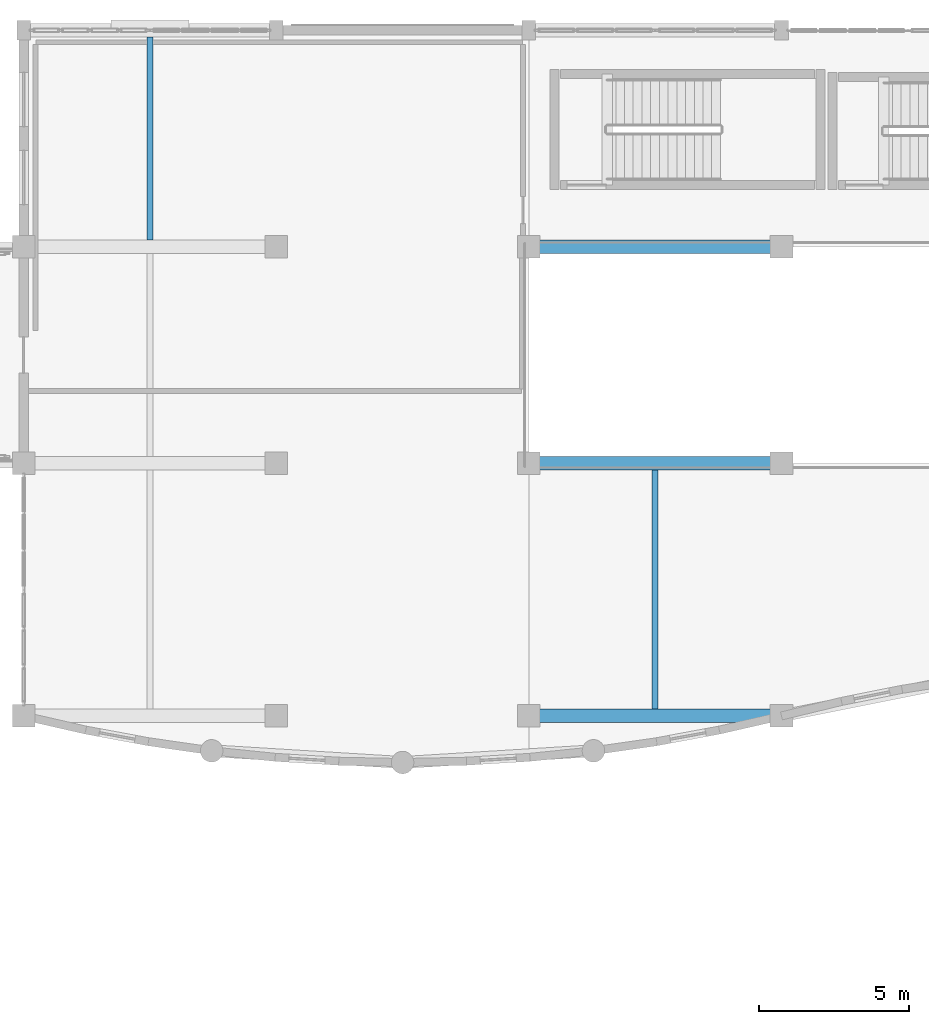
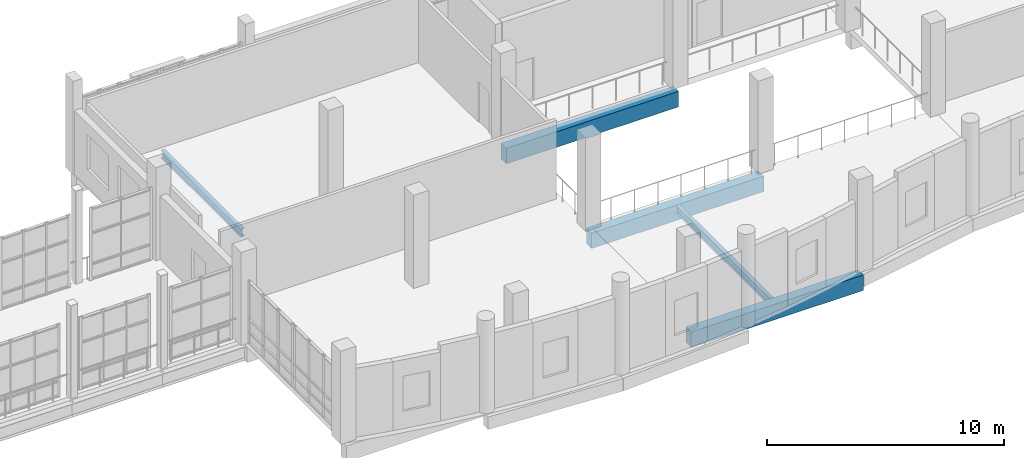
# One storey, part 35 of 106: 5 beams.
"""IFC4 building model written with IfcOpenShell, lengths in metres."""

import ifcopenshell
import ifcopenshell.guid

model = None  # the IFC model being written
_history = None  # IfcOwnerHistory: only IFC2X3 demands one
_inside = {}  # id of a spatial element -> (the spatial element, [elements in it])
_under = {}  # id of a project, library or spatial element -> (it, [spatial elements below it])
_declared = {}  # id of a project -> (the project, [libraries it declares])
_typed = {}  # id of a type object -> (the type object, [elements of that type])
_made_of = {}  # id of a material, layer set ... -> (it, [elements and type objects made of it])


def new_model(schema):
    """Start an empty IFC model of exactly this schema.

    Asked for "IFC4X3", IfcOpenShell would pick the latest addendum, in which some entities
    have other attributes; the version numbers below select the first issue.
    IFC2X3 requires an IfcOwnerHistory on every rooted entity: one is made here for all.
    """
    global model, _history
    if schema == "IFC4X3":
        model = ifcopenshell.file(schema_version=(4, 3, 0, 0))
    else:
        model = ifcopenshell.file(schema=schema)
    _inside.clear()
    _under.clear()
    _declared.clear()
    _typed.clear()
    _made_of.clear()
    _history = None
    if model.schema == "IFC2X3":
        org = make("IfcOrganization", Name="unknown")
        user = make(
            "IfcPersonAndOrganization",
            ThePerson=make("IfcPerson", FamilyName="unknown"),
            TheOrganization=org,
        )
        app = make(
            "IfcApplication",
            ApplicationDeveloper=org,
            Version="unknown",
            ApplicationFullName="unknown",
            ApplicationIdentifier="unknown",
        )
        _history = make(
            "IfcOwnerHistory",
            OwningUser=user,
            OwningApplication=app,
            ChangeAction="ADDED",
            CreationDate=0,
        )
    return model


def make(cls, **values):
    """One entity of the class cls with the attributes given. An attribute that is None is left unset."""
    return model.create_entity(
        cls, **{name: value for name, value in values.items() if value is not None}
    )


def rooted(cls, **values):
    """An entity with a GlobalId (a new one), such as an element, a storey or a relation."""
    return make(cls, GlobalId=ifcopenshell.guid.new(), OwnerHistory=_history, **values)


def si_unit(unit_type, name, prefix=None):
    """IfcSIUnit, for example si_unit("LENGTHUNIT", "METRE", prefix="MILLI")."""
    return make("IfcSIUnit", UnitType=unit_type, Prefix=prefix, Name=name)


def assignment(units):
    """IfcUnitAssignment: the units of a project."""
    return None if units is None else make("IfcUnitAssignment", Units=units)


def point(xyz):
    """IfcCartesianPoint."""
    return None if xyz is None else make("IfcCartesianPoint", Coordinates=xyz)


def direction(xyz):
    """IfcDirection."""
    return None if xyz is None else make("IfcDirection", DirectionRatios=xyz)


def frame(location, z_axis=None, x_axis=None):
    """IfcAxis2Placement3D, a coordinate frame: its origin and axes. An axis left out is left unset."""
    return make(
        "IfcAxis2Placement3D",
        Location=point(location),
        Axis=direction(z_axis),
        RefDirection=direction(x_axis),
    )


def frame_2d(location, x_axis=None):
    """IfcAxis2Placement2D, a coordinate frame in the plane: its origin and x axis."""
    return make(
        "IfcAxis2Placement2D", Location=point(location), RefDirection=direction(x_axis)
    )


def origin():
    """The frame at (0, 0, 0) with its axes left unset."""
    return frame((0.0, 0.0, 0.0))


def origin_2d():
    """The frame at (0, 0) in the plane with its x axis left unset."""
    return frame_2d((0.0, 0.0))


def place(relative_to, where):
    """IfcLocalPlacement: puts the frame where relative to a parent placement (None: the world)."""
    return make(
        "IfcLocalPlacement", PlacementRelTo=relative_to, RelativePlacement=where
    )


def context(
    kind, dimensions, precision=None, world=None, true_north=None, identifier=None
):
    """IfcGeometricRepresentationContext, for example the 3D "Model" context."""
    return make(
        "IfcGeometricRepresentationContext",
        ContextIdentifier=identifier,
        ContextType=kind,
        CoordinateSpaceDimension=dimensions,
        Precision=precision,
        WorldCoordinateSystem=world,
        TrueNorth=true_north,
    )


def subcontext(parent, identifier, kind, view, scale=None):
    """IfcGeometricRepresentationSubContext, for example "Body" below "Model"."""
    return make(
        "IfcGeometricRepresentationSubContext",
        ContextIdentifier=identifier,
        ContextType=kind,
        ParentContext=parent,
        TargetScale=scale,
        TargetView=view,
    )


def project(units=None, contexts=None):
    """IfcProject with its units and contexts."""
    return rooted(
        "IfcProject",
        Name="project",
        RepresentationContexts=contexts,
        UnitsInContext=assignment(units),
    )


def spatial(cls, under=None, at=None, **own):
    """A site, building, storey or space (cls), placed at a placement, below another one or the project."""
    s = rooted(cls, ObjectPlacement=at, **own)
    if under is not None:
        _under.setdefault(under.id(), (under, []))[1].append(s)
    return s


def profile(cls, at=None, kind="AREA", **sizes):
    """A parametric profile (cls). Its sizes go by their IFC names, for example OverallWidth=200.0."""
    return make(cls, ProfileType=kind, Position=at, **sizes)


def rectangle(**sizes):
    """IfcRectangleProfileDef."""
    return profile("IfcRectangleProfileDef", **sizes)


def i_section(**sizes):
    """IfcIShapeProfileDef."""
    return profile("IfcIShapeProfileDef", **sizes)


def extrude(swept, where, along, depth):
    """IfcExtrudedAreaSolid: the profile swept, set in the frame where, extruded along a direction by depth."""
    return make(
        "IfcExtrudedAreaSolid",
        SweptArea=swept,
        Position=where,
        ExtrudedDirection=direction(along),
        Depth=depth,
    )


def shape(context_of_items, identifier, shape_type, items):
    """IfcShapeRepresentation: the items that make up one representation, for example the "Body"."""
    return make(
        "IfcShapeRepresentation",
        ContextOfItems=context_of_items,
        RepresentationIdentifier=identifier,
        RepresentationType=shape_type,
        Items=items,
    )


def material(Name=None, Category=None):
    """IfcMaterial."""
    return make("IfcMaterial", Name=Name, Category=Category)


def material_profile(
    of_material, cross_section, Name=None, Category=None, Priority=None
):
    """IfcMaterialProfile: a cross section and its material."""
    return make(
        "IfcMaterialProfile",
        Name=Name,
        Material=of_material,
        Profile=cross_section,
        Priority=Priority,
        Category=Category,
    )


def profile_set(profiles, Name=None, composite=None):
    """IfcMaterialProfileSet."""
    return make(
        "IfcMaterialProfileSet",
        Name=Name,
        MaterialProfiles=profiles,
        CompositeProfile=composite,
    )


def made_of(thing, what):
    """Note that an element or type object is made of a material, layer set ...; save() writes the relation."""
    if what is not None:
        _made_of.setdefault(what.id(), (what, []))[1].append(thing)
    return thing


def type_object(cls, material=None, **own):
    """A type object (cls), such as IfcWallType, which elements share."""
    return made_of(rooted(cls, **own), material)


def element(
    cls,
    number,
    at=None,
    inside=None,
    cuts=None,
    type_object=None,
    material=None,
    context=None,
    identifier="Body",
    shape_type=None,
    held_by="IfcProductDefinitionShape",
    body=None,
    shapes=None,
    **own,
):
    """One element of the class cls, such as IfcWall. Its Tag is "e" and its number.

    at: its placement. inside: the storey or other place that contains it. cuts: it is an
    opening in that element (IfcRelVoidsElement). A single representation is given by context,
    identifier, shape_type and body (its items); several are given by shapes. held_by: the class
    of the entity that holds the representations. save() writes the other relations.
    """
    e = rooted(cls, Tag="e%d" % number, ObjectPlacement=at, **own)
    if body is not None:
        shapes = [shape(context, identifier, shape_type, body)]
    if shapes is not None:
        e.Representation = make(held_by, Representations=shapes)
    if inside is not None:
        _inside.setdefault(inside.id(), (inside, []))[1].append(e)
    if cuts is not None:
        rooted(
            "IfcRelVoidsElement", RelatingBuildingElement=cuts, RelatedOpeningElement=e
        )
    if type_object is not None:
        _typed.setdefault(type_object.id(), (type_object, []))[1].append(e)
    return made_of(e, material)


def aggregate(whole, parts):
    """IfcRelAggregates: a whole, such as a stair, and the parts it consists of."""
    return rooted("IfcRelAggregates", RelatingObject=whole, RelatedObjects=parts)


def save(model, path):
    """Write the relations noted so far, then the file.

    IfcRelAggregates (storeys below a building ...), IfcRelContainedInSpatialStructure (elements
    in a storey), IfcRelDefinesByType, IfcRelAssociatesMaterial and IfcRelDeclares: one each for
    every whole, place, type object, material and project.
    """
    for whole, parts in _under.values():
        aggregate(whole, parts)
    for where, things in _inside.values():
        rooted(
            "IfcRelContainedInSpatialStructure",
            RelatedElements=things,
            RelatingStructure=where,
        )
    for kind, things in _typed.values():
        rooted("IfcRelDefinesByType", RelatedObjects=things, RelatingType=kind)
    for what, things in _made_of.values():
        rooted("IfcRelAssociatesMaterial", RelatedObjects=things, RelatingMaterial=what)
    for by, libraries in _declared.values():
        rooted("IfcRelDeclares", RelatingContext=by, RelatedDefinitions=libraries)
    model.write(path)


model = new_model("IFC4")

# Units and contexts
model_context = context("Model", 3, precision=1e-05, world=origin(), true_north=direction((0.0, 1.0)))
body_context = subcontext(model_context, "Body", "Model", "MODEL_VIEW")
ifc_project = project(units=[si_unit("LENGTHUNIT", "METRE"), si_unit("AREAUNIT", "SQUARE_METRE"), si_unit("VOLUMEUNIT", "CUBIC_METRE"), si_unit("PLANEANGLEUNIT", "RADIAN"), si_unit("MASSUNIT", "GRAM", prefix="KILO")], contexts=[model_context])

# Site, building, storey
site_placement = place(None, origin())
site = spatial("IfcSite", under=ifc_project, at=site_placement, CompositionType="ELEMENT")
building_placement = place(site_placement, origin())
building = spatial("IfcBuilding", under=site, at=building_placement, Name="Kisaragi Civic Commons", CompositionType="ELEMENT")
storey_placement = place(building_placement, frame((0.0, 0.0, 4.800048828125)))
storey = spatial("IfcBuildingStorey", under=building, at=storey_placement, Name="L01", CompositionType="ELEMENT", Elevation=4.800048828125)

# Beams
ifc_material_1 = material(Name="Concrete Fc30", Category="concrete")
ifc_material_profile_1 = material_profile(ifc_material_1, rectangle(XDim=0.449951171875, YDim=0.800048828125, at=origin_2d()), Name="RC-450x800", Category="concrete")
ifc_profile_set_1 = profile_set([ifc_material_profile_1], Name="Concrete Fc30")
beam_type_1 = type_object("IfcBeamType", Name="G-03", PredefinedType="BEAM", material=ifc_profile_set_1)
for number, where, z_axis, x_axis, name in (
    (1, (88.800048828125, 96.0, -0.705078125), (1.0, 0.0, 0.0), (0.0, 1.0, 0.0), "L01 girder G-03 223"),
    (2, (88.800048828125, 104.39990234375, -0.705078125), (1.0, 0.0, 0.0), (0.0, 1.0, 0.0), "L01 girder G-03 227"),
    (3, (88.800048828125, 111.60009765625, -0.705078125), (1.0, 0.0, 0.0), (0.0, 1.0, 0.0), "L01 girder G-03 232"),
):
    element("IfcBeam", number, at=place(storey_placement, frame(where, z_axis=z_axis, x_axis=x_axis)), inside=storey, type_object=beam_type_1, Name=name, PredefinedType="BEAM", context=body_context, shape_type="SweptSolid", body=[
        extrude(rectangle(XDim=0.449951171875, YDim=0.800048828125, at=origin_2d()), origin(), (0.0, 0.0, 1.0), 8.39990234375),
    ])
ifc_material_2 = material(Name="Steel SN400 (SN400B)", Category="steel")
ifc_material_profile_2 = material_profile(ifc_material_2, i_section(OverallWidth=0.199951171875, OverallDepth=0.39990234375, WebThickness=0.008056640625, FlangeThickness=0.012939453125, FilletRadius=0.012939453125, at=origin_2d()), Name="H-400x200x8x13", Category="steel")
ifc_profile_set_2 = profile_set([ifc_material_profile_2], Name="Steel SN400 (SN400B)")
beam_type_2 = type_object("IfcBeamType", Name="J-01", PredefinedType="JOIST", material=ifc_profile_set_2)
beam_1_placement = place(storey_placement, frame((76.199951171875, 111.824951171875, -0.505126953125), z_axis=(0.0, 1.0, 0.0), x_axis=(-1.0, 0.0, 0.0)))
element("IfcBeam", 4, at=beam_1_placement, inside=storey, type_object=beam_type_2, Name="L01 secondary steel joist J-01 48", PredefinedType="JOIST", context=body_context, shape_type="SweptSolid", body=[
    extrude(i_section(OverallWidth=0.199951171875, OverallDepth=0.39990234375, WebThickness=0.008056640625, FlangeThickness=0.012939453125, FilletRadius=0.012939453125, at=origin_2d()), origin(), (0.0, 0.0, 1.0), 6.75),
])
beam_2_placement = place(storey_placement, frame((93.0, 96.22509765625, -0.505126953125), z_axis=(0.0, 1.0, 0.0), x_axis=(-1.0, 0.0, 0.0)))
element("IfcBeam", 5, at=beam_2_placement, inside=storey, type_object=beam_type_2, Name="L01 secondary steel joist J-01 49", PredefinedType="JOIST", context=body_context, shape_type="SweptSolid", body=[
    extrude(i_section(OverallWidth=0.199951171875, OverallDepth=0.39990234375, WebThickness=0.008056640625, FlangeThickness=0.012939453125, FilletRadius=0.012939453125, at=origin_2d()), origin(), (0.0, 0.0, 1.0), 7.949951171875),
])

save(model, "model.ifc")
